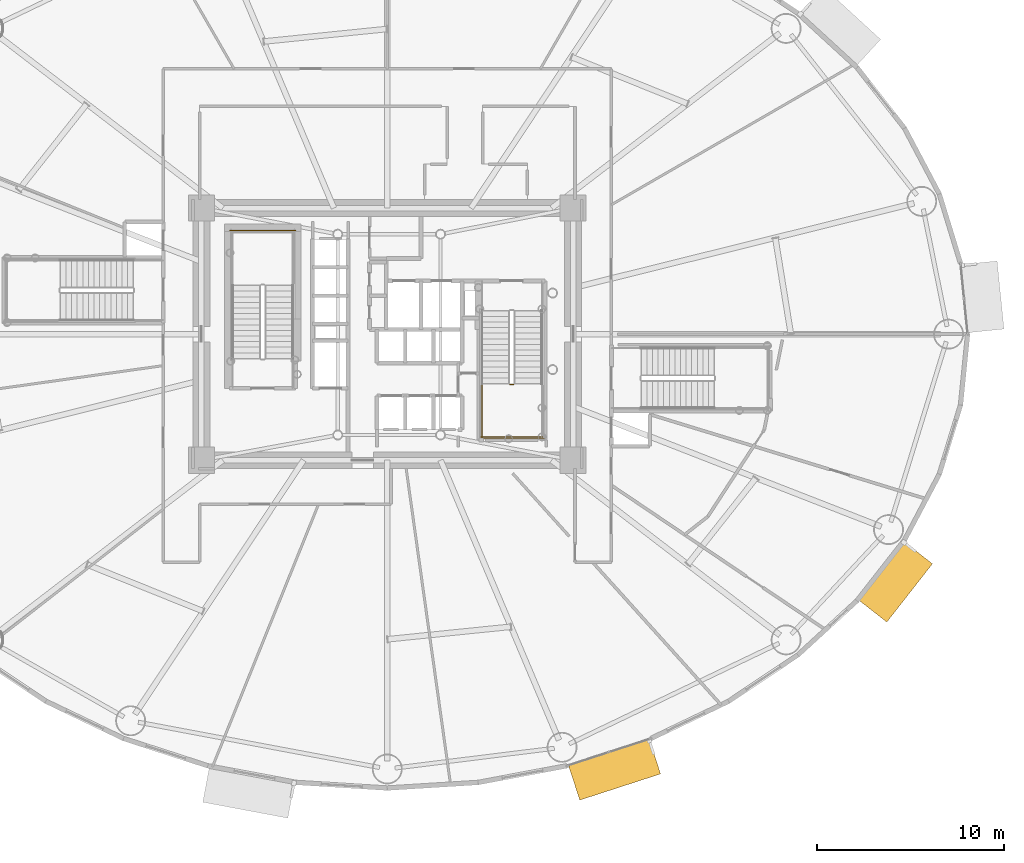
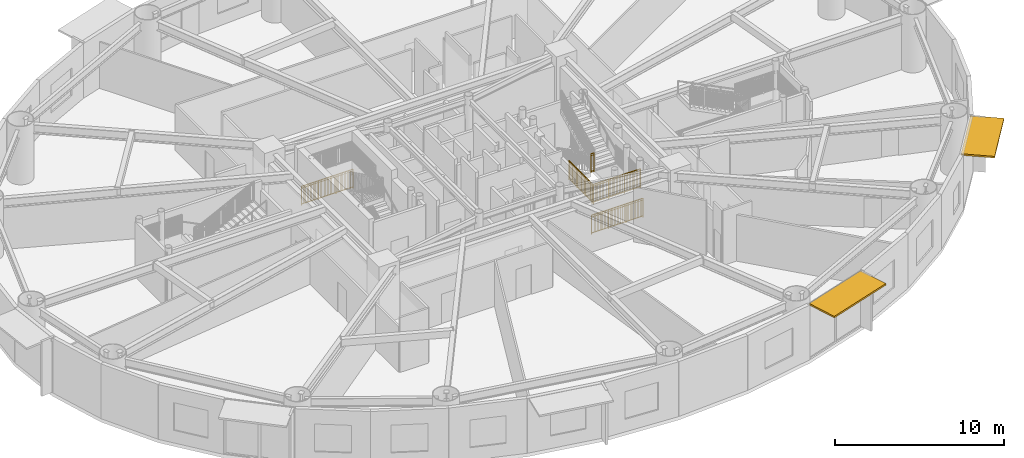
# One storey, part 30 of 35: 5 railings, 2 shading devices.
"""IFC4 building model written with IfcOpenShell, lengths in metres."""

from ifc_helpers import new_model, si_unit, direction, frame, origin, origin_2d, place, context, subcontext, project, spatial, rectangle, extrude, source, transform, mapped, material, layer, layer_set, type_object, element, save


model = new_model("IFC4")

# Units and contexts
model_context = context("Model", 3, precision=1e-05, world=origin(), true_north=direction((0.0, 1.0)))
body_context = subcontext(model_context, "Body", "Model", "MODEL_VIEW")
ifc_project = project(units=[si_unit("LENGTHUNIT", "METRE"), si_unit("AREAUNIT", "SQUARE_METRE"), si_unit("VOLUMEUNIT", "CUBIC_METRE"), si_unit("PLANEANGLEUNIT", "RADIAN"), si_unit("MASSUNIT", "GRAM", prefix="KILO")], contexts=[model_context])

# Site, building, storey
site_placement = place(None, origin())
site = spatial("IfcSite", under=ifc_project, at=site_placement, CompositionType="ELEMENT")
building_placement = place(site_placement, origin())
building = spatial("IfcBuilding", under=site, at=building_placement, Name="Linh Dai School and Residence Tower", CompositionType="ELEMENT")
storey_placement = place(building_placement, frame((0.0, 0.0, 49.199951171875)))
storey = spatial("IfcBuildingStorey", under=building, at=storey_placement, Name="L11", CompositionType="ELEMENT", Elevation=49.199951171875)

# Shading devices
ifc_material_1 = material(Name="Terracotta Ceramic Sunshade", Category="masonry")
ifc_layer = layer(ifc_material_1, 0.1201171875)
ifc_layer_set = layer_set([ifc_layer], Name="Terracotta Ceramic Sunshade")
shading_device_type = type_object("IfcShadingDeviceType", Name="SHD-TC-2000", PredefinedType="USERDEFINED", material=ifc_layer_set)
shared_shape_1 = source(origin(), body_context, "Body", "SweptSolid", [
    extrude(rectangle(XDim=4.54931640625, YDim=2.0, at=origin_2d()), origin(), (0.0, 0.0, 1.0), 0.1201171875),
])
shading_device_1_placement = place(storey_placement, frame((48.160400390625, 3.70458984375, 3.81005859375), z_axis=(0.0, 0.0, 1.0), x_axis=(-0.951220777043, -0.308510993844, 0.0)))
element("IfcShadingDevice", 1, at=shading_device_1_placement, inside=storey, type_object=shading_device_type, Name="L11 Terracotta Horizontal Sunshade Band 33", ObjectType="SUNSHADE", PredefinedType="USERDEFINED", context=body_context, shape_type="MappedRepresentation", body=[
    mapped(shared_shape_1, transform((0.0, 0.0, 0.0), x_axis=(1.0, 0.0, 0.0), y_axis=(0.0, 1.0, 0.0), z_axis=(0.0, 0.0, 1.0), scale=1.0)),
])
shared_shape_2 = source(origin(), body_context, "Body", "SweptSolid", [
    extrude(rectangle(XDim=3.964111328125, YDim=2.0, at=origin_2d()), origin(), (0.0, 0.0, 1.0), 0.1201171875),
])
shading_device_2_placement = place(storey_placement, frame((63.17822265625, 13.759521484375, 3.81005859375), z_axis=(0.0, 0.0, 1.0), x_axis=(-0.616319427785, -0.787496262172, 0.0)))
element("IfcShadingDevice", 2, at=shading_device_2_placement, inside=storey, type_object=shading_device_type, Name="L11 Terracotta Horizontal Sunshade Band 37", ObjectType="SUNSHADE", PredefinedType="USERDEFINED", context=body_context, shape_type="MappedRepresentation", body=[
    mapped(shared_shape_2, transform((0.0, 0.0, 0.0), x_axis=(1.0, 0.0, 0.0), y_axis=(0.0, 1.0, 0.0), z_axis=(0.0, 0.0, 1.0), scale=1.0)),
])

# Railings
ifc_material_2 = material(Name="Structural Steel S355JR", Category="steel")
railing_type = type_object("IfcRailingType", Name="RL-ST-GUARD-1400", PredefinedType="GUARDRAIL", material=ifc_material_2)
shared_shape_3 = source(origin(), body_context, "Body", "SweptSolid", [
    extrude(rectangle(XDim=0.048095703125, YDim=0.048095703125, at=origin_2d()), frame((0.0, 0.0, 1.3759765625), z_axis=(-1.0, 0.0, 0.0), x_axis=(0.0, -1.0, 0.0)), (0.0, 0.0, 1.0), 3.5),
    extrude(rectangle(XDim=0.048095703125, YDim=0.048095703125, at=origin_2d()), frame((0.0, 0.0, 0.10009765625), z_axis=(-1.0, 0.0, 0.0), x_axis=(0.0, -1.0, 0.0)), (0.0, 0.0, 1.0), 3.5),
    extrude(rectangle(XDim=0.030029296875, YDim=0.030029296875, at=origin_2d()), frame((0.0, 0.0, 1.239990234375), z_axis=(-1.0, 0.0, 0.0), x_axis=(0.0, -1.0, 0.0)), (0.0, 0.0, 1.0), 3.5),
    extrude(rectangle(XDim=0.02001953125, YDim=0.02001953125, at=origin_2d()), frame((-0.09716796875, 0.0, 0.10009765625)), (0.0, 0.0, 1.0), 1.251708984375),
    extrude(rectangle(XDim=0.02001953125, YDim=0.02001953125, at=origin_2d()), frame((-0.1943359375, 0.0, 0.10009765625)), (0.0, 0.0, 1.0), 1.251708984375),
    extrude(rectangle(XDim=0.02001953125, YDim=0.02001953125, at=origin_2d()), frame((-0.291748046875, 0.0, 0.10009765625)), (0.0, 0.0, 1.0), 1.251708984375),
    extrude(rectangle(XDim=0.02001953125, YDim=0.02001953125, at=origin_2d()), frame((-0.388916015625, 0.0, 0.10009765625)), (0.0, 0.0, 1.0), 1.251708984375),
    extrude(rectangle(XDim=0.02001953125, YDim=0.02001953125, at=origin_2d()), frame((-0.486083984375, 0.0, 0.10009765625)), (0.0, 0.0, 1.0), 1.251708984375),
    extrude(rectangle(XDim=0.02001953125, YDim=0.02001953125, at=origin_2d()), frame((-0.583251953125, 0.0, 0.10009765625)), (0.0, 0.0, 1.0), 1.251708984375),
    extrude(rectangle(XDim=0.02001953125, YDim=0.02001953125, at=origin_2d()), frame((-0.6806640625, 0.0, 0.10009765625)), (0.0, 0.0, 1.0), 1.251708984375),
    extrude(rectangle(XDim=0.02001953125, YDim=0.02001953125, at=origin_2d()), frame((-0.77783203125, 0.0, 0.10009765625)), (0.0, 0.0, 1.0), 1.251708984375),
    extrude(rectangle(XDim=0.02001953125, YDim=0.02001953125, at=origin_2d()), frame((-0.875, 0.0, 0.10009765625)), (0.0, 0.0, 1.0), 1.251708984375),
    extrude(rectangle(XDim=0.02001953125, YDim=0.02001953125, at=origin_2d()), frame((-0.97216796875, 0.0, 0.10009765625)), (0.0, 0.0, 1.0), 1.251708984375),
    extrude(rectangle(XDim=0.02001953125, YDim=0.02001953125, at=origin_2d()), frame((-1.0693359375, 0.0, 0.10009765625)), (0.0, 0.0, 1.0), 1.251708984375),
    extrude(rectangle(XDim=0.02001953125, YDim=0.02001953125, at=origin_2d()), frame((-1.263916015625, 0.0, 0.10009765625)), (0.0, 0.0, 1.0), 1.251708984375),
    extrude(rectangle(XDim=0.02001953125, YDim=0.02001953125, at=origin_2d()), frame((-1.361083984375, 0.0, 0.10009765625)), (0.0, 0.0, 1.0), 1.251708984375),
    extrude(rectangle(XDim=0.02001953125, YDim=0.02001953125, at=origin_2d()), frame((-1.458251953125, 0.0, 0.10009765625)), (0.0, 0.0, 1.0), 1.251708984375),
    extrude(rectangle(XDim=0.02001953125, YDim=0.02001953125, at=origin_2d()), frame((-1.5556640625, 0.0, 0.10009765625)), (0.0, 0.0, 1.0), 1.251708984375),
    extrude(rectangle(XDim=0.02001953125, YDim=0.02001953125, at=origin_2d()), frame((-1.65283203125, 0.0, 0.10009765625)), (0.0, 0.0, 1.0), 1.251708984375),
    extrude(rectangle(XDim=0.02001953125, YDim=0.02001953125, at=origin_2d()), frame((-1.75, 0.0, 0.10009765625)), (0.0, 0.0, 1.0), 1.251708984375),
    extrude(rectangle(XDim=0.02001953125, YDim=0.02001953125, at=origin_2d()), frame((-1.84716796875, 0.0, 0.10009765625)), (0.0, 0.0, 1.0), 1.251708984375),
    extrude(rectangle(XDim=0.02001953125, YDim=0.02001953125, at=origin_2d()), frame((-1.9443359375, 0.0, 0.10009765625)), (0.0, 0.0, 1.0), 1.251708984375),
    extrude(rectangle(XDim=0.02001953125, YDim=0.02001953125, at=origin_2d()), frame((-2.041748046875, 0.0, 0.10009765625)), (0.0, 0.0, 1.0), 1.251708984375),
    extrude(rectangle(XDim=0.02001953125, YDim=0.02001953125, at=origin_2d()), frame((-2.138916015625, 0.0, 0.10009765625)), (0.0, 0.0, 1.0), 1.251708984375),
    extrude(rectangle(XDim=0.02001953125, YDim=0.02001953125, at=origin_2d()), frame((-2.236083984375, 0.0, 0.10009765625)), (0.0, 0.0, 1.0), 1.251708984375),
    extrude(rectangle(XDim=0.02001953125, YDim=0.02001953125, at=origin_2d()), frame((-2.4306640625, 0.0, 0.10009765625)), (0.0, 0.0, 1.0), 1.251708984375),
    extrude(rectangle(XDim=0.02001953125, YDim=0.02001953125, at=origin_2d()), frame((-2.52783203125, 0.0, 0.10009765625)), (0.0, 0.0, 1.0), 1.251708984375),
    extrude(rectangle(XDim=0.02001953125, YDim=0.02001953125, at=origin_2d()), frame((-2.625, 0.0, 0.10009765625)), (0.0, 0.0, 1.0), 1.251708984375),
    extrude(rectangle(XDim=0.02001953125, YDim=0.02001953125, at=origin_2d()), frame((-2.72216796875, 0.0, 0.10009765625)), (0.0, 0.0, 1.0), 1.251708984375),
    extrude(rectangle(XDim=0.02001953125, YDim=0.02001953125, at=origin_2d()), frame((-2.8193359375, 0.0, 0.10009765625)), (0.0, 0.0, 1.0), 1.251708984375),
    extrude(rectangle(XDim=0.02001953125, YDim=0.02001953125, at=origin_2d()), frame((-2.916748046875, 0.0, 0.10009765625)), (0.0, 0.0, 1.0), 1.251708984375),
    extrude(rectangle(XDim=0.02001953125, YDim=0.02001953125, at=origin_2d()), frame((-3.013916015625, 0.0, 0.10009765625)), (0.0, 0.0, 1.0), 1.251708984375),
    extrude(rectangle(XDim=0.02001953125, YDim=0.02001953125, at=origin_2d()), frame((-3.111083984375, 0.0, 0.10009765625)), (0.0, 0.0, 1.0), 1.251708984375),
    extrude(rectangle(XDim=0.02001953125, YDim=0.02001953125, at=origin_2d()), frame((-3.208251953125, 0.0, 0.10009765625)), (0.0, 0.0, 1.0), 1.251708984375),
    extrude(rectangle(XDim=0.02001953125, YDim=0.02001953125, at=origin_2d()), frame((-3.3056640625, 0.0, 0.10009765625)), (0.0, 0.0, 1.0), 1.251708984375),
    extrude(rectangle(XDim=0.02001953125, YDim=0.02001953125, at=origin_2d()), frame((-3.40283203125, 0.0, 0.10009765625)), (0.0, 0.0, 1.0), 1.251708984375),
    extrude(rectangle(XDim=0.0419921875, YDim=0.0419921875, at=origin_2d()), origin(), (0.0, 0.0, 1.0), 1.3759765625),
    extrude(rectangle(XDim=0.0419921875, YDim=0.0419921875, at=origin_2d()), frame((-1.166748046875, 0.0, 0.0)), (0.0, 0.0, 1.0), 1.3759765625),
    extrude(rectangle(XDim=0.0419921875, YDim=0.0419921875, at=origin_2d()), frame((-2.333251953125, 0.0, 0.0)), (0.0, 0.0, 1.0), 1.3759765625),
    extrude(rectangle(XDim=0.0419921875, YDim=0.0419921875, at=origin_2d()), frame((-3.5, 0.0, 0.0)), (0.0, 0.0, 1.0), 1.3759765625),
])
railing_1_placement = place(storey_placement, frame((31.080078125, 32.550048828125, 0.0)))
element("IfcRailing", 3, at=railing_1_placement, inside=storey, type_object=railing_type, Name="L11 ST1 stair guard 12", PredefinedType="GUARDRAIL", context=body_context, shape_type="MappedRepresentation", body=[
    mapped(shared_shape_3, transform((0.0, 0.0, 0.0), x_axis=(1.0, 0.0, 0.0), y_axis=(0.0, 1.0, 0.0), z_axis=(0.0, 0.0, 1.0), scale=1.0)),
])
shared_shape_4 = source(origin(), body_context, "Body", "SweptSolid", [
    extrude(rectangle(XDim=0.048095703125, YDim=0.048095703125, at=origin_2d()), frame((0.0, 0.0, 1.3759765625), z_axis=(1.0, 0.0, 0.0), x_axis=(0.0, 1.0, 0.0)), (0.0, 0.0, 1.0), 0.199951171875),
    extrude(rectangle(XDim=0.048095703125, YDim=0.048095703125, at=origin_2d()), frame((0.0, 0.0, 0.10009765625), z_axis=(1.0, 0.0, 0.0), x_axis=(0.0, 1.0, 0.0)), (0.0, 0.0, 1.0), 0.199951171875),
    extrude(rectangle(XDim=0.030029296875, YDim=0.030029296875, at=origin_2d()), frame((0.0, 0.0, 1.239990234375), z_axis=(1.0, 0.0, 0.0), x_axis=(0.0, 1.0, 0.0)), (0.0, 0.0, 1.0), 0.199951171875),
    extrude(rectangle(XDim=0.0419921875, YDim=0.0419921875, at=origin_2d()), origin(), (0.0, 0.0, 1.0), 1.3759765625),
    extrude(rectangle(XDim=0.0419921875, YDim=0.0419921875, at=origin_2d()), frame((0.199951171875, 0.0, 0.0)), (0.0, 0.0, 1.0), 1.3759765625),
])
railing_2_placement = place(storey_placement, frame((42.570068359375, 24.300048828125, 2.10009765625)))
element("IfcRailing", 4, at=railing_2_placement, inside=storey, type_object=railing_type, Name="L11 ST2 stair guard 2", PredefinedType="GUARDRAIL", context=body_context, shape_type="MappedRepresentation", body=[
    mapped(shared_shape_4, transform((0.0, 0.0, 0.0), x_axis=(1.0, 0.0, 0.0), y_axis=(0.0, 1.0, 0.0), z_axis=(0.0, 0.0, 1.0), scale=1.0)),
])
shared_shape_5 = source(origin(), body_context, "Body", "SweptSolid", [
    extrude(rectangle(XDim=0.048095703125, YDim=0.048095703125, at=origin_2d()), frame((0.0, 0.0, 1.3759765625), z_axis=(1.0, 0.0, 0.0), x_axis=(0.0, 1.0, 0.0)), (0.0, 0.0, 1.0), 3.300048828125),
    extrude(rectangle(XDim=0.048095703125, YDim=0.048095703125, at=origin_2d()), frame((0.0, 0.0, 0.10009765625), z_axis=(1.0, 0.0, 0.0), x_axis=(0.0, 1.0, 0.0)), (0.0, 0.0, 1.0), 3.300048828125),
    extrude(rectangle(XDim=0.030029296875, YDim=0.030029296875, at=origin_2d()), frame((0.0, 0.0, 1.239990234375), z_axis=(1.0, 0.0, 0.0), x_axis=(0.0, 1.0, 0.0)), (0.0, 0.0, 1.0), 3.300048828125),
    extrude(rectangle(XDim=0.02001953125, YDim=0.02001953125, at=origin_2d()), frame((0.09716796875, 0.0, 0.10009765625)), (0.0, 0.0, 1.0), 1.251708984375),
    extrude(rectangle(XDim=0.02001953125, YDim=0.02001953125, at=origin_2d()), frame((0.194091796875, 0.0, 0.10009765625)), (0.0, 0.0, 1.0), 1.251708984375),
    extrude(rectangle(XDim=0.02001953125, YDim=0.02001953125, at=origin_2d()), frame((0.291259765625, 0.0, 0.10009765625)), (0.0, 0.0, 1.0), 1.251708984375),
    extrude(rectangle(XDim=0.02001953125, YDim=0.02001953125, at=origin_2d()), frame((0.38818359375, 0.0, 0.10009765625)), (0.0, 0.0, 1.0), 1.251708984375),
    extrude(rectangle(XDim=0.02001953125, YDim=0.02001953125, at=origin_2d()), frame((0.4853515625, 0.0, 0.10009765625)), (0.0, 0.0, 1.0), 1.251708984375),
    extrude(rectangle(XDim=0.02001953125, YDim=0.02001953125, at=origin_2d()), frame((0.582275390625, 0.0, 0.10009765625)), (0.0, 0.0, 1.0), 1.251708984375),
    extrude(rectangle(XDim=0.02001953125, YDim=0.02001953125, at=origin_2d()), frame((0.679443359375, 0.0, 0.10009765625)), (0.0, 0.0, 1.0), 1.251708984375),
    extrude(rectangle(XDim=0.02001953125, YDim=0.02001953125, at=origin_2d()), frame((0.7763671875, 0.0, 0.10009765625)), (0.0, 0.0, 1.0), 1.251708984375),
    extrude(rectangle(XDim=0.02001953125, YDim=0.02001953125, at=origin_2d()), frame((0.87353515625, 0.0, 0.10009765625)), (0.0, 0.0, 1.0), 1.251708984375),
    extrude(rectangle(XDim=0.02001953125, YDim=0.02001953125, at=origin_2d()), frame((0.970703125, 0.0, 0.10009765625)), (0.0, 0.0, 1.0), 1.251708984375),
    extrude(rectangle(XDim=0.02001953125, YDim=0.02001953125, at=origin_2d()), frame((1.164794921875, 0.0, 0.10009765625)), (0.0, 0.0, 1.0), 1.251708984375),
    extrude(rectangle(XDim=0.02001953125, YDim=0.02001953125, at=origin_2d()), frame((1.26171875, 0.0, 0.10009765625)), (0.0, 0.0, 1.0), 1.251708984375),
    extrude(rectangle(XDim=0.02001953125, YDim=0.02001953125, at=origin_2d()), frame((1.35888671875, 0.0, 0.10009765625)), (0.0, 0.0, 1.0), 1.251708984375),
    extrude(rectangle(XDim=0.02001953125, YDim=0.02001953125, at=origin_2d()), frame((1.455810546875, 0.0, 0.10009765625)), (0.0, 0.0, 1.0), 1.251708984375),
    extrude(rectangle(XDim=0.02001953125, YDim=0.02001953125, at=origin_2d()), frame((1.552978515625, 0.0, 0.10009765625)), (0.0, 0.0, 1.0), 1.251708984375),
    extrude(rectangle(XDim=0.02001953125, YDim=0.02001953125, at=origin_2d()), frame((1.64990234375, 0.0, 0.10009765625)), (0.0, 0.0, 1.0), 1.251708984375),
    extrude(rectangle(XDim=0.02001953125, YDim=0.02001953125, at=origin_2d()), frame((1.7470703125, 0.0, 0.10009765625)), (0.0, 0.0, 1.0), 1.251708984375),
    extrude(rectangle(XDim=0.02001953125, YDim=0.02001953125, at=origin_2d()), frame((1.84423828125, 0.0, 0.10009765625)), (0.0, 0.0, 1.0), 1.251708984375),
    extrude(rectangle(XDim=0.02001953125, YDim=0.02001953125, at=origin_2d()), frame((1.941162109375, 0.0, 0.10009765625)), (0.0, 0.0, 1.0), 1.251708984375),
    extrude(rectangle(XDim=0.02001953125, YDim=0.02001953125, at=origin_2d()), frame((2.038330078125, 0.0, 0.10009765625)), (0.0, 0.0, 1.0), 1.251708984375),
    extrude(rectangle(XDim=0.02001953125, YDim=0.02001953125, at=origin_2d()), frame((2.13525390625, 0.0, 0.10009765625)), (0.0, 0.0, 1.0), 1.251708984375),
    extrude(rectangle(XDim=0.02001953125, YDim=0.02001953125, at=origin_2d()), frame((2.329345703125, 0.0, 0.10009765625)), (0.0, 0.0, 1.0), 1.251708984375),
    extrude(rectangle(XDim=0.02001953125, YDim=0.02001953125, at=origin_2d()), frame((2.426513671875, 0.0, 0.10009765625)), (0.0, 0.0, 1.0), 1.251708984375),
    extrude(rectangle(XDim=0.02001953125, YDim=0.02001953125, at=origin_2d()), frame((2.523681640625, 0.0, 0.10009765625)), (0.0, 0.0, 1.0), 1.251708984375),
    extrude(rectangle(XDim=0.02001953125, YDim=0.02001953125, at=origin_2d()), frame((2.62060546875, 0.0, 0.10009765625)), (0.0, 0.0, 1.0), 1.251708984375),
    extrude(rectangle(XDim=0.02001953125, YDim=0.02001953125, at=origin_2d()), frame((2.7177734375, 0.0, 0.10009765625)), (0.0, 0.0, 1.0), 1.251708984375),
    extrude(rectangle(XDim=0.02001953125, YDim=0.02001953125, at=origin_2d()), frame((2.814697265625, 0.0, 0.10009765625)), (0.0, 0.0, 1.0), 1.251708984375),
    extrude(rectangle(XDim=0.02001953125, YDim=0.02001953125, at=origin_2d()), frame((2.911865234375, 0.0, 0.10009765625)), (0.0, 0.0, 1.0), 1.251708984375),
    extrude(rectangle(XDim=0.02001953125, YDim=0.02001953125, at=origin_2d()), frame((3.0087890625, 0.0, 0.10009765625)), (0.0, 0.0, 1.0), 1.251708984375),
    extrude(rectangle(XDim=0.02001953125, YDim=0.02001953125, at=origin_2d()), frame((3.10595703125, 0.0, 0.10009765625)), (0.0, 0.0, 1.0), 1.251708984375),
    extrude(rectangle(XDim=0.02001953125, YDim=0.02001953125, at=origin_2d()), frame((3.202880859375, 0.0, 0.10009765625)), (0.0, 0.0, 1.0), 1.251708984375),
    extrude(rectangle(XDim=0.0419921875, YDim=0.0419921875, at=origin_2d()), origin(), (0.0, 0.0, 1.0), 1.3759765625),
    extrude(rectangle(XDim=0.0419921875, YDim=0.0419921875, at=origin_2d()), frame((1.10009765625, 0.0, 0.0)), (0.0, 0.0, 1.0), 1.3759765625),
    extrude(rectangle(XDim=0.0419921875, YDim=0.0419921875, at=origin_2d()), frame((2.199951171875, 0.0, 0.0)), (0.0, 0.0, 1.0), 1.3759765625),
    extrude(rectangle(XDim=0.0419921875, YDim=0.0419921875, at=origin_2d()), frame((3.300048828125, 0.0, 0.0)), (0.0, 0.0, 1.0), 1.3759765625),
])
railing_3_placement = place(storey_placement, frame((41.02001953125, 21.5, 2.10009765625)))
element("IfcRailing", 5, at=railing_3_placement, inside=storey, type_object=railing_type, Name="L11 ST2 stair guard 5", PredefinedType="GUARDRAIL", context=body_context, shape_type="MappedRepresentation", body=[
    mapped(shared_shape_5, transform((0.0, 0.0, 0.0), x_axis=(1.0, 0.0, 0.0), y_axis=(0.0, 1.0, 0.0), z_axis=(0.0, 0.0, 1.0), scale=1.0)),
])
shared_shape_6 = source(origin(), body_context, "Body", "SweptSolid", [
    extrude(rectangle(XDim=0.048095703125, YDim=0.048095703125, at=origin_2d()), frame((0.0, 0.0, 1.3759765625), z_axis=(1.0, 0.0, 0.0), x_axis=(0.0, 1.0, 0.0)), (0.0, 0.0, 1.0), 3.5),
    extrude(rectangle(XDim=0.048095703125, YDim=0.048095703125, at=origin_2d()), frame((0.0, 0.0, 0.10009765625), z_axis=(1.0, 0.0, 0.0), x_axis=(0.0, 1.0, 0.0)), (0.0, 0.0, 1.0), 3.5),
    extrude(rectangle(XDim=0.030029296875, YDim=0.030029296875, at=origin_2d()), frame((0.0, 0.0, 1.239990234375), z_axis=(1.0, 0.0, 0.0), x_axis=(0.0, 1.0, 0.0)), (0.0, 0.0, 1.0), 3.5),
    extrude(rectangle(XDim=0.02001953125, YDim=0.02001953125, at=origin_2d()), frame((0.09716796875, 0.0, 0.10009765625)), (0.0, 0.0, 1.0), 1.251708984375),
    extrude(rectangle(XDim=0.02001953125, YDim=0.02001953125, at=origin_2d()), frame((0.1943359375, 0.0, 0.10009765625)), (0.0, 0.0, 1.0), 1.251708984375),
    extrude(rectangle(XDim=0.02001953125, YDim=0.02001953125, at=origin_2d()), frame((0.291748046875, 0.0, 0.10009765625)), (0.0, 0.0, 1.0), 1.251708984375),
    extrude(rectangle(XDim=0.02001953125, YDim=0.02001953125, at=origin_2d()), frame((0.388916015625, 0.0, 0.10009765625)), (0.0, 0.0, 1.0), 1.251708984375),
    extrude(rectangle(XDim=0.02001953125, YDim=0.02001953125, at=origin_2d()), frame((0.486083984375, 0.0, 0.10009765625)), (0.0, 0.0, 1.0), 1.251708984375),
    extrude(rectangle(XDim=0.02001953125, YDim=0.02001953125, at=origin_2d()), frame((0.583251953125, 0.0, 0.10009765625)), (0.0, 0.0, 1.0), 1.251708984375),
    extrude(rectangle(XDim=0.02001953125, YDim=0.02001953125, at=origin_2d()), frame((0.6806640625, 0.0, 0.10009765625)), (0.0, 0.0, 1.0), 1.251708984375),
    extrude(rectangle(XDim=0.02001953125, YDim=0.02001953125, at=origin_2d()), frame((0.77783203125, 0.0, 0.10009765625)), (0.0, 0.0, 1.0), 1.251708984375),
    extrude(rectangle(XDim=0.02001953125, YDim=0.02001953125, at=origin_2d()), frame((0.875, 0.0, 0.10009765625)), (0.0, 0.0, 1.0), 1.251708984375),
    extrude(rectangle(XDim=0.02001953125, YDim=0.02001953125, at=origin_2d()), frame((0.97216796875, 0.0, 0.10009765625)), (0.0, 0.0, 1.0), 1.251708984375),
    extrude(rectangle(XDim=0.02001953125, YDim=0.02001953125, at=origin_2d()), frame((1.0693359375, 0.0, 0.10009765625)), (0.0, 0.0, 1.0), 1.251708984375),
    extrude(rectangle(XDim=0.02001953125, YDim=0.02001953125, at=origin_2d()), frame((1.263916015625, 0.0, 0.10009765625)), (0.0, 0.0, 1.0), 1.251708984375),
    extrude(rectangle(XDim=0.02001953125, YDim=0.02001953125, at=origin_2d()), frame((1.361083984375, 0.0, 0.10009765625)), (0.0, 0.0, 1.0), 1.251708984375),
    extrude(rectangle(XDim=0.02001953125, YDim=0.02001953125, at=origin_2d()), frame((1.458251953125, 0.0, 0.10009765625)), (0.0, 0.0, 1.0), 1.251708984375),
    extrude(rectangle(XDim=0.02001953125, YDim=0.02001953125, at=origin_2d()), frame((1.5556640625, 0.0, 0.10009765625)), (0.0, 0.0, 1.0), 1.251708984375),
    extrude(rectangle(XDim=0.02001953125, YDim=0.02001953125, at=origin_2d()), frame((1.65283203125, 0.0, 0.10009765625)), (0.0, 0.0, 1.0), 1.251708984375),
    extrude(rectangle(XDim=0.02001953125, YDim=0.02001953125, at=origin_2d()), frame((1.75, 0.0, 0.10009765625)), (0.0, 0.0, 1.0), 1.251708984375),
    extrude(rectangle(XDim=0.02001953125, YDim=0.02001953125, at=origin_2d()), frame((1.84716796875, 0.0, 0.10009765625)), (0.0, 0.0, 1.0), 1.251708984375),
    extrude(rectangle(XDim=0.02001953125, YDim=0.02001953125, at=origin_2d()), frame((1.9443359375, 0.0, 0.10009765625)), (0.0, 0.0, 1.0), 1.251708984375),
    extrude(rectangle(XDim=0.02001953125, YDim=0.02001953125, at=origin_2d()), frame((2.041748046875, 0.0, 0.10009765625)), (0.0, 0.0, 1.0), 1.251708984375),
    extrude(rectangle(XDim=0.02001953125, YDim=0.02001953125, at=origin_2d()), frame((2.138916015625, 0.0, 0.10009765625)), (0.0, 0.0, 1.0), 1.251708984375),
    extrude(rectangle(XDim=0.02001953125, YDim=0.02001953125, at=origin_2d()), frame((2.236083984375, 0.0, 0.10009765625)), (0.0, 0.0, 1.0), 1.251708984375),
    extrude(rectangle(XDim=0.02001953125, YDim=0.02001953125, at=origin_2d()), frame((2.4306640625, 0.0, 0.10009765625)), (0.0, 0.0, 1.0), 1.251708984375),
    extrude(rectangle(XDim=0.02001953125, YDim=0.02001953125, at=origin_2d()), frame((2.52783203125, 0.0, 0.10009765625)), (0.0, 0.0, 1.0), 1.251708984375),
    extrude(rectangle(XDim=0.02001953125, YDim=0.02001953125, at=origin_2d()), frame((2.625, 0.0, 0.10009765625)), (0.0, 0.0, 1.0), 1.251708984375),
    extrude(rectangle(XDim=0.02001953125, YDim=0.02001953125, at=origin_2d()), frame((2.72216796875, 0.0, 0.10009765625)), (0.0, 0.0, 1.0), 1.251708984375),
    extrude(rectangle(XDim=0.02001953125, YDim=0.02001953125, at=origin_2d()), frame((2.8193359375, 0.0, 0.10009765625)), (0.0, 0.0, 1.0), 1.251708984375),
    extrude(rectangle(XDim=0.02001953125, YDim=0.02001953125, at=origin_2d()), frame((2.916748046875, 0.0, 0.10009765625)), (0.0, 0.0, 1.0), 1.251708984375),
    extrude(rectangle(XDim=0.02001953125, YDim=0.02001953125, at=origin_2d()), frame((3.013916015625, 0.0, 0.10009765625)), (0.0, 0.0, 1.0), 1.251708984375),
    extrude(rectangle(XDim=0.02001953125, YDim=0.02001953125, at=origin_2d()), frame((3.111083984375, 0.0, 0.10009765625)), (0.0, 0.0, 1.0), 1.251708984375),
    extrude(rectangle(XDim=0.02001953125, YDim=0.02001953125, at=origin_2d()), frame((3.208251953125, 0.0, 0.10009765625)), (0.0, 0.0, 1.0), 1.251708984375),
    extrude(rectangle(XDim=0.02001953125, YDim=0.02001953125, at=origin_2d()), frame((3.3056640625, 0.0, 0.10009765625)), (0.0, 0.0, 1.0), 1.251708984375),
    extrude(rectangle(XDim=0.02001953125, YDim=0.02001953125, at=origin_2d()), frame((3.40283203125, 0.0, 0.10009765625)), (0.0, 0.0, 1.0), 1.251708984375),
    extrude(rectangle(XDim=0.0419921875, YDim=0.0419921875, at=origin_2d()), origin(), (0.0, 0.0, 1.0), 1.3759765625),
    extrude(rectangle(XDim=0.0419921875, YDim=0.0419921875, at=origin_2d()), frame((1.166748046875, 0.0, 0.0)), (0.0, 0.0, 1.0), 1.3759765625),
    extrude(rectangle(XDim=0.0419921875, YDim=0.0419921875, at=origin_2d()), frame((2.333251953125, 0.0, 0.0)), (0.0, 0.0, 1.0), 1.3759765625),
    extrude(rectangle(XDim=0.0419921875, YDim=0.0419921875, at=origin_2d()), frame((3.5, 0.0, 0.0)), (0.0, 0.0, 1.0), 1.3759765625),
])
railing_4_placement = place(storey_placement, frame((40.919921875, 21.39990234375, 0.0)))
element("IfcRailing", 6, at=railing_4_placement, inside=storey, type_object=railing_type, Name="L11 ST2 stair guard 12", PredefinedType="GUARDRAIL", context=body_context, shape_type="MappedRepresentation", body=[
    mapped(shared_shape_6, transform((0.0, 0.0, 0.0), x_axis=(1.0, 0.0, 0.0), y_axis=(0.0, 1.0, 0.0), z_axis=(0.0, 0.0, 1.0), scale=1.0)),
])
shared_shape_7 = source(origin(), body_context, "Body", "SweptSolid", [
    extrude(rectangle(XDim=0.048095703125, YDim=0.048095703125, at=origin_2d()), frame((0.0, 0.0, 1.3759765625), z_axis=(0.0, -1.0, 0.0), x_axis=(1.0, 0.0, 0.0)), (0.0, 0.0, 1.0), 2.900146484375),
    extrude(rectangle(XDim=0.048095703125, YDim=0.048095703125, at=origin_2d()), frame((0.0, 0.0, 0.10009765625), z_axis=(0.0, -1.0, 0.0), x_axis=(1.0, 0.0, 0.0)), (0.0, 0.0, 1.0), 2.900146484375),
    extrude(rectangle(XDim=0.030029296875, YDim=0.030029296875, at=origin_2d()), frame((0.0, 0.0, 1.239990234375), z_axis=(0.0, -1.0, 0.0), x_axis=(1.0, 0.0, 0.0)), (0.0, 0.0, 1.0), 2.900146484375),
    extrude(rectangle(XDim=0.02001953125, YDim=0.02001953125, at=origin_2d()), frame((0.0, -0.0966796875, 0.10009765625)), (0.0, 0.0, 1.0), 1.251708984375),
    extrude(rectangle(XDim=0.02001953125, YDim=0.02001953125, at=origin_2d()), frame((0.0, -0.193359375, 0.10009765625)), (0.0, 0.0, 1.0), 1.251708984375),
    extrude(rectangle(XDim=0.02001953125, YDim=0.02001953125, at=origin_2d()), frame((0.0, -0.2900390625, 0.10009765625)), (0.0, 0.0, 1.0), 1.251708984375),
    extrude(rectangle(XDim=0.02001953125, YDim=0.02001953125, at=origin_2d()), frame((0.0, -0.38671875, 0.10009765625)), (0.0, 0.0, 1.0), 1.251708984375),
    extrude(rectangle(XDim=0.02001953125, YDim=0.02001953125, at=origin_2d()), frame((0.0, -0.4833984375, 0.10009765625)), (0.0, 0.0, 1.0), 1.251708984375),
    extrude(rectangle(XDim=0.02001953125, YDim=0.02001953125, at=origin_2d()), frame((0.0, -0.580078125, 0.10009765625)), (0.0, 0.0, 1.0), 1.251708984375),
    extrude(rectangle(XDim=0.02001953125, YDim=0.02001953125, at=origin_2d()), frame((0.0, -0.6767578125, 0.10009765625)), (0.0, 0.0, 1.0), 1.251708984375),
    extrude(rectangle(XDim=0.02001953125, YDim=0.02001953125, at=origin_2d()), frame((0.0, -0.7734375, 0.10009765625)), (0.0, 0.0, 1.0), 1.251708984375),
    extrude(rectangle(XDim=0.02001953125, YDim=0.02001953125, at=origin_2d()), frame((0.0, -0.8701171875, 0.10009765625)), (0.0, 0.0, 1.0), 1.251708984375),
    extrude(rectangle(XDim=0.02001953125, YDim=0.02001953125, at=origin_2d()), frame((0.0, -1.0634765625, 0.10009765625)), (0.0, 0.0, 1.0), 1.251708984375),
    extrude(rectangle(XDim=0.02001953125, YDim=0.02001953125, at=origin_2d()), frame((0.0, -1.16015625, 0.10009765625)), (0.0, 0.0, 1.0), 1.251708984375),
    extrude(rectangle(XDim=0.02001953125, YDim=0.02001953125, at=origin_2d()), frame((0.0, -1.2568359375, 0.10009765625)), (0.0, 0.0, 1.0), 1.251708984375),
    extrude(rectangle(XDim=0.02001953125, YDim=0.02001953125, at=origin_2d()), frame((0.0, -1.353515625, 0.10009765625)), (0.0, 0.0, 1.0), 1.251708984375),
    extrude(rectangle(XDim=0.02001953125, YDim=0.02001953125, at=origin_2d()), frame((0.0, -1.4501953125, 0.10009765625)), (0.0, 0.0, 1.0), 1.251708984375),
    extrude(rectangle(XDim=0.02001953125, YDim=0.02001953125, at=origin_2d()), frame((0.0, -1.546630859375, 0.10009765625)), (0.0, 0.0, 1.0), 1.251708984375),
    extrude(rectangle(XDim=0.02001953125, YDim=0.02001953125, at=origin_2d()), frame((0.0, -1.643310546875, 0.10009765625)), (0.0, 0.0, 1.0), 1.251708984375),
    extrude(rectangle(XDim=0.02001953125, YDim=0.02001953125, at=origin_2d()), frame((0.0, -1.739990234375, 0.10009765625)), (0.0, 0.0, 1.0), 1.251708984375),
    extrude(rectangle(XDim=0.02001953125, YDim=0.02001953125, at=origin_2d()), frame((0.0, -1.836669921875, 0.10009765625)), (0.0, 0.0, 1.0), 1.251708984375),
    extrude(rectangle(XDim=0.02001953125, YDim=0.02001953125, at=origin_2d()), frame((0.0, -2.030029296875, 0.10009765625)), (0.0, 0.0, 1.0), 1.251708984375),
    extrude(rectangle(XDim=0.02001953125, YDim=0.02001953125, at=origin_2d()), frame((0.0, -2.126708984375, 0.10009765625)), (0.0, 0.0, 1.0), 1.251708984375),
    extrude(rectangle(XDim=0.02001953125, YDim=0.02001953125, at=origin_2d()), frame((0.0, -2.223388671875, 0.10009765625)), (0.0, 0.0, 1.0), 1.251708984375),
    extrude(rectangle(XDim=0.02001953125, YDim=0.02001953125, at=origin_2d()), frame((0.0, -2.320068359375, 0.10009765625)), (0.0, 0.0, 1.0), 1.251708984375),
    extrude(rectangle(XDim=0.02001953125, YDim=0.02001953125, at=origin_2d()), frame((0.0, -2.416748046875, 0.10009765625)), (0.0, 0.0, 1.0), 1.251708984375),
    extrude(rectangle(XDim=0.02001953125, YDim=0.02001953125, at=origin_2d()), frame((0.0, -2.513427734375, 0.10009765625)), (0.0, 0.0, 1.0), 1.251708984375),
    extrude(rectangle(XDim=0.02001953125, YDim=0.02001953125, at=origin_2d()), frame((0.0, -2.610107421875, 0.10009765625)), (0.0, 0.0, 1.0), 1.251708984375),
    extrude(rectangle(XDim=0.02001953125, YDim=0.02001953125, at=origin_2d()), frame((0.0, -2.706787109375, 0.10009765625)), (0.0, 0.0, 1.0), 1.251708984375),
    extrude(rectangle(XDim=0.02001953125, YDim=0.02001953125, at=origin_2d()), frame((0.0, -2.803466796875, 0.10009765625)), (0.0, 0.0, 1.0), 1.251708984375),
    extrude(rectangle(XDim=0.0419921875, YDim=0.0419921875, at=origin_2d()), origin(), (0.0, 0.0, 1.0), 1.3759765625),
    extrude(rectangle(XDim=0.0419921875, YDim=0.0419921875, at=origin_2d()), frame((0.0, -0.966796875, 0.0)), (0.0, 0.0, 1.0), 1.3759765625),
    extrude(rectangle(XDim=0.0419921875, YDim=0.0419921875, at=origin_2d()), frame((0.0, -1.933349609375, 0.0)), (0.0, 0.0, 1.0), 1.3759765625),
    extrude(rectangle(XDim=0.0419921875, YDim=0.0419921875, at=origin_2d()), frame((0.0, -2.900146484375, 0.0)), (0.0, 0.0, 1.0), 1.3759765625),
])
railing_5_placement = place(storey_placement, frame((41.070068359375, 24.35009765625, 2.10009765625)))
element("IfcRailing", 7, at=railing_5_placement, inside=storey, type_object=railing_type, Name="L11 ST2 stair guard 3", PredefinedType="GUARDRAIL", context=body_context, shape_type="MappedRepresentation", body=[
    mapped(shared_shape_7, transform((0.0, 0.0, 0.0), x_axis=(1.0, 0.0, 0.0), y_axis=(0.0, 1.0, 0.0), z_axis=(0.0, 0.0, 1.0), scale=1.0)),
])

save(model, "model.ifc")
